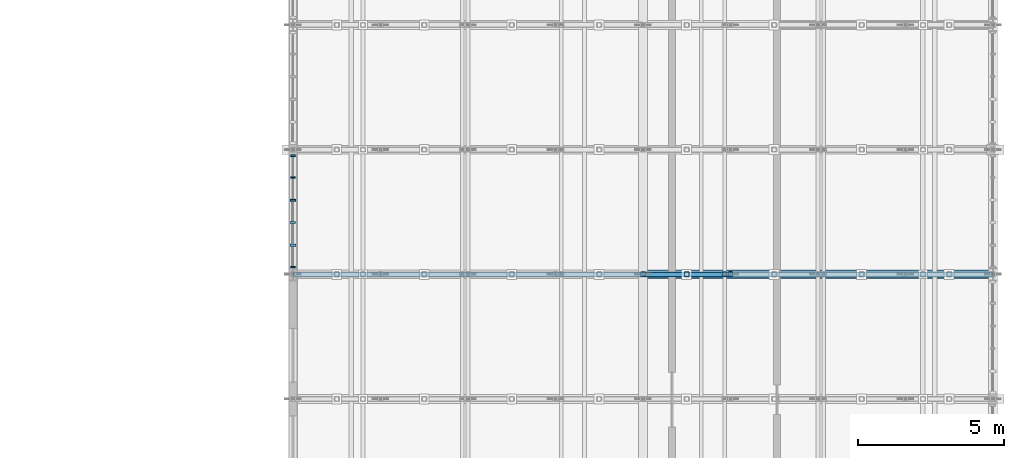
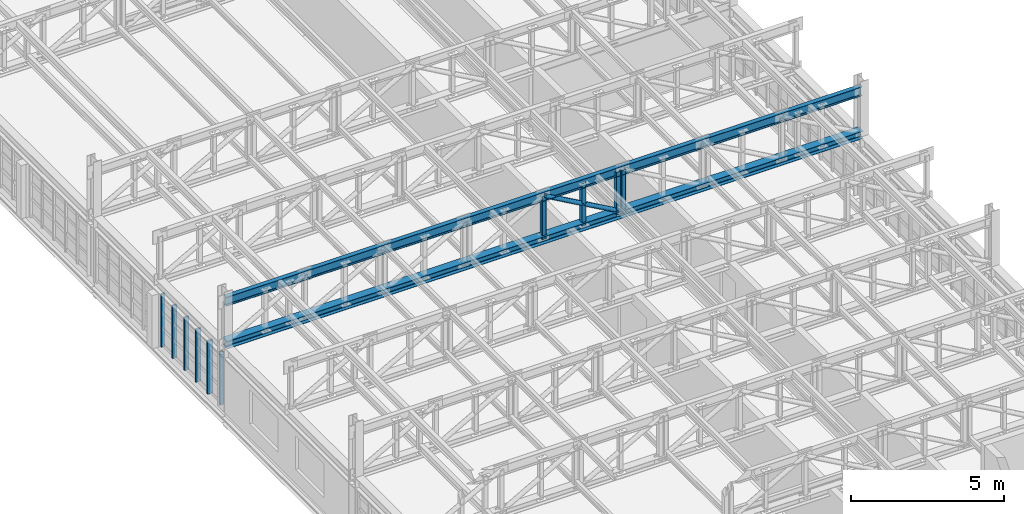
# One storey, part 44 of 128: 13 members, 1 element without a shape of its own.
"""IFC4 building model written with IfcOpenShell, lengths in metres."""

from ifc_helpers import new_model, si_unit, direction, frame, origin, origin_2d, place, context, subcontext, project, spatial, rectangle, hollow_rectangle, hollow_circle, i_section, extrude, material, material_profile, profile_set, type_object, element, aggregate, save


model = new_model("IFC4")

# Units and contexts
model_context = context("Model", 3, precision=1e-05, world=origin(), true_north=direction((0.0, 1.0)))
body_context = subcontext(model_context, "Body", "Model", "MODEL_VIEW")
ifc_project = project(units=[si_unit("LENGTHUNIT", "METRE"), si_unit("AREAUNIT", "SQUARE_METRE"), si_unit("VOLUMEUNIT", "CUBIC_METRE"), si_unit("PLANEANGLEUNIT", "RADIAN"), si_unit("MASSUNIT", "GRAM", prefix="KILO")], contexts=[model_context])

# Site, building, storey
site_placement = place(None, origin())
site = spatial("IfcSite", under=ifc_project, at=site_placement, CompositionType="ELEMENT")
building_placement = place(site_placement, origin())
building = spatial("IfcBuilding", under=site, at=building_placement, Name="Serraforn Aerial Cableway Station", CompositionType="ELEMENT")
storey_placement = place(building_placement, frame((0.0, 0.0, 9.0)))
storey = spatial("IfcBuildingStorey", under=building, at=storey_placement, Name="L02", CompositionType="ELEMENT", Elevation=9.0)

# Curtain wall, members
ifc_material_1 = material(Name="Anodised bronze unitised curtain wall")
curtain_wall_type = type_object("IfcCurtainWallType", Name="CW-SYS-4", PredefinedType="USERDEFINED", material=ifc_material_1)
curtain_wall_placement = place(storey_placement, origin())
curtain_wall = element("IfcCurtainWall", 1, at=curtain_wall_placement, inside=storey, type_object=curtain_wall_type, Name="Unitised Curtain Wall CW-EG-L02-W5B", ObjectType="UNITISED CURTAIN WALL", PredefinedType="USERDEFINED")
ifc_material_2 = material(Name="Anodised bronze extruded aluminium", Category="aluminium")
ifc_material_profile_1 = material_profile(ifc_material_2, rectangle(XDim=0.054931640625, YDim=0.139892578125, at=origin_2d()), Name="CW MULLION 55x140")
ifc_profile_set_1 = profile_set([ifc_material_profile_1], Name="Anodised bronze extruded aluminium")
member_type_1 = type_object("IfcMemberType", Name="CW-MUL-1", PredefinedType="MULLION", material=ifc_profile_set_1)
member_1_placement = place(storey_placement, frame((144.0, 83.867431640625, 0.0), z_axis=(0.0, 0.0, 1.0), x_axis=(0.0, -1.0, 0.0)))
member_1 = element("IfcMember", 2, at=member_1_placement, type_object=member_type_1, Name="Curtain Wall Mullion CW-EG-L02-W5B-M1", PredefinedType="MULLION", context=body_context, shape_type="SweptSolid", body=[
    extrude(rectangle(XDim=0.054931640625, YDim=0.139892578125, at=origin_2d()), origin(), (0.0, 0.0, 1.0), 2.1201171875),
])
member_2_placement = place(storey_placement, frame((144.0, 80.050537109375, 0.0), z_axis=(0.0, 0.0, 1.0), x_axis=(0.0, -1.0, 0.0)))
member_2 = element("IfcMember", 3, at=member_2_placement, type_object=member_type_1, Name="Curtain Wall Mullion CW-EG-L02-W5B-M6", PredefinedType="MULLION", context=body_context, shape_type="SweptSolid", body=[
    extrude(rectangle(XDim=0.054931640625, YDim=0.139892578125, at=origin_2d()), origin(), (0.0, 0.0, 1.0), 2.1201171875),
])
ifc_material_profile_2 = material_profile(ifc_material_2, rectangle(XDim=0.06005859375, YDim=0.159912109375, at=origin_2d()), Name="CW MULLION 60x160")
ifc_profile_set_2 = profile_set([ifc_material_profile_2], Name="Anodised bronze extruded aluminium")
member_type_2 = type_object("IfcMemberType", Name="CW-MUL-2", PredefinedType="MULLION", material=ifc_profile_set_2)
member_3_placement = place(storey_placement, frame((144.0, 83.12060546875, 0.0), z_axis=(0.0, 0.0, 1.0), x_axis=(0.0, -1.0, 0.0)))
member_3 = element("IfcMember", 4, at=member_3_placement, type_object=member_type_2, Name="Curtain Wall Mullion CW-EG-L02-W5B-M2", PredefinedType="MULLION", context=body_context, shape_type="SweptSolid", body=[
    extrude(rectangle(XDim=0.06005859375, YDim=0.159912109375, at=origin_2d()), origin(), (0.0, 0.0, 1.0), 2.1201171875),
])
ifc_material_profile_3 = material_profile(ifc_material_2, rectangle(XDim=0.06494140625, YDim=0.175048828125, at=origin_2d()), Name="CW MULLION 65x175")
ifc_profile_set_3 = profile_set([ifc_material_profile_3], Name="Anodised bronze extruded aluminium")
member_type_3 = type_object("IfcMemberType", Name="CW-MUL-3", PredefinedType="MULLION", material=ifc_profile_set_3)
member_4_placement = place(storey_placement, frame((144.0, 82.34619140625, 0.0), z_axis=(0.0, 0.0, 1.0), x_axis=(0.0, -1.0, 0.0)))
member_4 = element("IfcMember", 5, at=member_4_placement, type_object=member_type_3, Name="Curtain Wall Mullion CW-EG-L02-W5B-M3", PredefinedType="MULLION", context=body_context, shape_type="SweptSolid", body=[
    extrude(rectangle(XDim=0.06494140625, YDim=0.175048828125, at=origin_2d()), origin(), (0.0, 0.0, 1.0), 2.1201171875),
])
ifc_material_profile_4 = material_profile(ifc_material_2, rectangle(XDim=0.070068359375, YDim=0.18994140625, at=origin_2d()), Name="CW MULLION 70x190")
ifc_profile_set_4 = profile_set([ifc_material_profile_4], Name="Anodised bronze extruded aluminium")
member_type_4 = type_object("IfcMemberType", Name="CW-MUL-4", PredefinedType="MULLION", material=ifc_profile_set_4)
member_5_placement = place(storey_placement, frame((144.0, 81.57177734375, 0.0), z_axis=(0.0, 0.0, 1.0), x_axis=(0.0, -1.0, 0.0)))
member_5 = element("IfcMember", 6, at=member_5_placement, type_object=member_type_4, Name="Curtain Wall Mullion CW-EG-L02-W5B-M4", PredefinedType="MULLION", context=body_context, shape_type="SweptSolid", body=[
    extrude(rectangle(XDim=0.070068359375, YDim=0.18994140625, at=origin_2d()), origin(), (0.0, 0.0, 1.0), 2.1201171875),
])
ifc_material_profile_5 = material_profile(ifc_material_2, rectangle(XDim=0.074951171875, YDim=0.199951171875, at=origin_2d()), Name="CW MULLION 75x200")
ifc_profile_set_5 = profile_set([ifc_material_profile_5], Name="Anodised bronze extruded aluminium")
member_type_5 = type_object("IfcMemberType", Name="CW-MUL-5", PredefinedType="MULLION", material=ifc_profile_set_5)
member_6_placement = place(storey_placement, frame((144.0, 80.79736328125, 0.0), z_axis=(0.0, 0.0, 1.0), x_axis=(0.0, -1.0, 0.0)))
member_6 = element("IfcMember", 7, at=member_6_placement, type_object=member_type_5, Name="Curtain Wall Mullion CW-EG-L02-W5B-M5", PredefinedType="MULLION", context=body_context, shape_type="SweptSolid", body=[
    extrude(rectangle(XDim=0.074951171875, YDim=0.199951171875, at=origin_2d()), origin(), (0.0, 0.0, 1.0), 2.1201171875),
])
aggregate(curtain_wall, [member_1, member_3, member_4, member_5, member_6, member_2])

# Members
ifc_material_3 = material(Name="Steel S355J2", Category="steel")
ifc_material_profile_6 = material_profile(ifc_material_3, i_section(OverallWidth=0.300048828125, OverallDepth=0.300048828125, WebThickness=0.008544921875, FlangeThickness=0.013916015625, FilletRadius=0.027099609375, at=origin_2d()), Name="HEA 300")
ifc_profile_set_6 = profile_set([ifc_material_profile_6], Name="Steel S355J2")
member_type_6 = type_object("IfcMemberType", Name="MEM-BC-HEA300", PredefinedType="CHORD", material=ifc_profile_set_6)
member_7_placement = place(storey_placement, frame((144.0, 79.800048828125, 2.60009765625), z_axis=(1.0, 0.0, 0.0), x_axis=(0.0, 1.0, 0.0)))
element("IfcMember", 8, at=member_7_placement, inside=storey, type_object=member_type_6, Name="Garage Truss GT-07 Bottom Chord", PredefinedType="CHORD", context=body_context, shape_type="SweptSolid", body=[
    extrude(i_section(OverallWidth=0.300048828125, OverallDepth=0.300048828125, WebThickness=0.008544921875, FlangeThickness=0.013916015625, FilletRadius=0.027099609375, at=origin_2d()), origin(), (0.0, 0.0, 1.0), 24.0),
])
ifc_material_profile_7 = material_profile(ifc_material_3, hollow_circle(Radius=0.084228515625, WallThickness=0.008056640625, at=origin_2d()), Name="CHS 168.3x8.0")
ifc_profile_set_7 = profile_set([ifc_material_profile_7], Name="Steel S355J2")
member_type_7 = type_object("IfcMemberType", Name="MEM-DG-CHS168", PredefinedType="BRACE", material=ifc_profile_set_7)
member_8_placement = place(storey_placement, frame((156.0, 79.800048828125, 4.2900390625), z_axis=(0.871272396707, 0.0, -0.490799766439), x_axis=(0.0, 1.0, 0.0)))
element("IfcMember", 9, at=member_8_placement, inside=storey, type_object=member_type_7, Name="Garage Truss GT-07 Diagonal 5", PredefinedType="BRACE", context=body_context, shape_type="SweptSolid", body=[
    extrude(hollow_circle(Radius=0.084228515625, WallThickness=0.008056640625, at=origin_2d()), origin(), (0.0, 0.0, 1.0), 3.443359375),
])
ifc_material_profile_8 = material_profile(ifc_material_3, i_section(OverallWidth=0.169921875, OverallDepth=0.360107421875, WebThickness=0.008056640625, FlangeThickness=0.0126953125, FilletRadius=0.01806640625, at=origin_2d()), Name="IPE 360")
ifc_profile_set_8 = profile_set([ifc_material_profile_8], Name="Steel S355J2")
member_type_8 = type_object("IfcMemberType", Name="MEM-TC-IPE360", PredefinedType="CHORD", material=ifc_profile_set_8)
member_9_placement = place(storey_placement, frame((144.0, 79.800048828125, 4.2900390625), z_axis=(1.0, 0.0, 0.0), x_axis=(0.0, 1.0, 0.0)))
element("IfcMember", 10, at=member_9_placement, inside=storey, type_object=member_type_8, Name="Garage Truss GT-07 Top Chord", PredefinedType="CHORD", context=body_context, shape_type="SweptSolid", body=[
    extrude(i_section(OverallWidth=0.169921875, OverallDepth=0.360107421875, WebThickness=0.008056640625, FlangeThickness=0.0126953125, FilletRadius=0.01806640625, at=origin_2d()), origin(), (0.0, 0.0, 1.0), 24.0),
])
ifc_material_profile_9 = material_profile(ifc_material_3, hollow_rectangle(XDim=0.159912109375, YDim=0.159912109375, WallThickness=0.008056640625, InnerFilletRadius=0.008056640625, OuterFilletRadius=0.01611328125, at=origin_2d()), Name="SHS 160x160x8.0")
ifc_profile_set_9 = profile_set([ifc_material_profile_9], Name="Steel S355J2")
member_type_9 = type_object("IfcMemberType", Name="MEM-VP-SHS160", PredefinedType="STRUT", material=ifc_profile_set_9)
for number, where, z_axis, x_axis, name in (
    (11, (156.0, 79.800048828125, 2.590087890625), (0.0, 0.0, 1.0), (1.0, 0.0, 0.0), "Garage Truss GT-07 Post 5"),
    (12, (159.0, 79.800048828125, 2.590087890625), (0.0, 0.0, 1.0), (1.0, 0.0, 0.0), "Garage Truss GT-07 Post 6"),
    (13, (158.800048828125, 79.800048828125, 2.590087890625), (0.0, 0.0, 1.0), (1.0, 0.0, 0.0), "Overhead Rail Suspension Post 034"),
    (14, (157.5, 79.800048828125, 2.590087890625), (0.0, 0.0, 1.0), (1.0, 0.0, 0.0), "Garage Truss GT-07 Sub-Vertical 5"),
):
    element("IfcMember", number, at=place(storey_placement, frame(where, z_axis=z_axis, x_axis=x_axis)), inside=storey, type_object=member_type_9, Name=name, PredefinedType="STRUT", context=body_context, shape_type="SweptSolid", body=[
        extrude(hollow_rectangle(XDim=0.159912109375, YDim=0.159912109375, WallThickness=0.008056640625, InnerFilletRadius=0.008056640625, OuterFilletRadius=0.01611328125, at=origin_2d()), origin(), (0.0, 0.0, 1.0), 1.7099609375),
    ])

save(model, "model.ifc")
